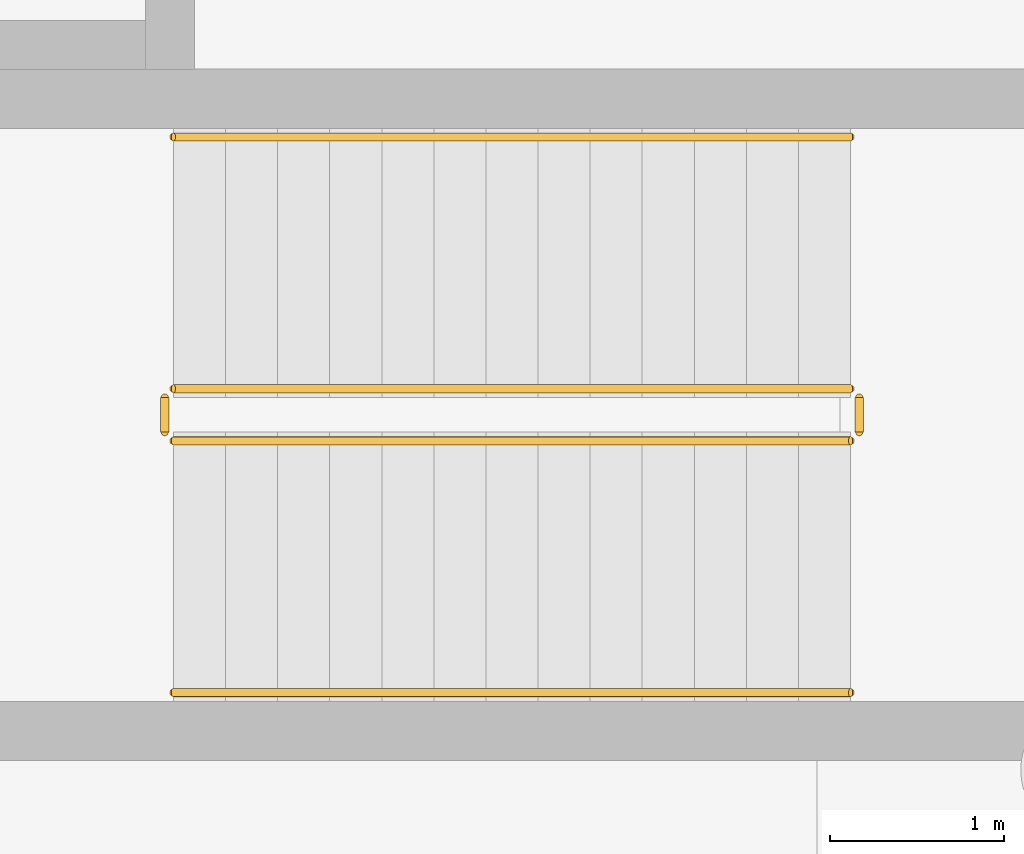
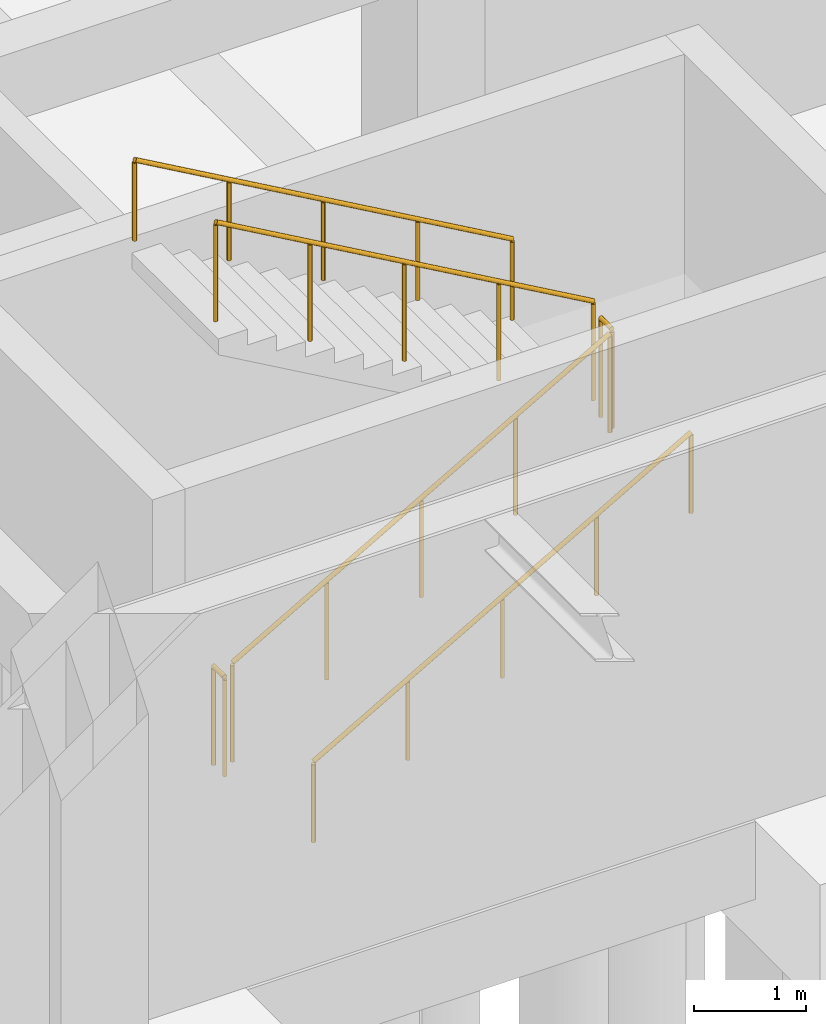
# One storey, part 39 of 44: 6 railings.
"""IFC4 building model written with IfcOpenShell, lengths in metres."""

from ifc_helpers import new_model, si_unit, direction, frame, origin, origin_2d, place, context, subcontext, project, spatial, circle, extrude, material, type_object, element, save


model = new_model("IFC4")

# Units and contexts
model_context = context("Model", 3, precision=1e-05, world=origin(), true_north=direction((0.0, 1.0)))
body_context = subcontext(model_context, "Body", "Model", "MODEL_VIEW")
ifc_project = project(units=[si_unit("LENGTHUNIT", "METRE"), si_unit("AREAUNIT", "SQUARE_METRE"), si_unit("VOLUMEUNIT", "CUBIC_METRE"), si_unit("PLANEANGLEUNIT", "RADIAN"), si_unit("MASSUNIT", "GRAM", prefix="KILO")], contexts=[model_context])

# Site, building, storey
site_placement = place(None, origin())
site = spatial("IfcSite", under=ifc_project, at=site_placement, CompositionType="ELEMENT")
building_placement = place(site_placement, origin())
building = spatial("IfcBuilding", under=site, at=building_placement, Name="Korsvaeld Concert Hall", CompositionType="ELEMENT")
storey_placement = place(building_placement, frame((0.0, 0.0, -4.800048828125)))
storey = spatial("IfcBuildingStorey", under=building, at=storey_placement, Name="B1", CompositionType="ELEMENT", Elevation=-4.800048828125)

# Railings
ifc_material_1 = material(Name="Powder-coated steel and bronze stair guardrail", Category="steel")
railing_type_1 = type_object("IfcRailingType", Name="RL-STAIR-GUARD-120", PredefinedType="GUARDRAIL", material=ifc_material_1)
railing_1_placement = place(storey_placement, frame((53.52001953125, 45.8701171875, 0.17138671875)))
element("IfcRailing", 1, at=railing_1_placement, inside=storey, type_object=railing_type_1, Name="B1 ST-K3 stair guard 1", PredefinedType="GUARDRAIL", context=body_context, shape_type="SweptSolid", body=[
    extrude(circle(Radius=0.02392578125, at=origin_2d()), frame((0.0, 0.0, 1.076171875), z_axis=(0.868219727965, 0.0, 0.496179910892), x_axis=(0.0, 1.0, 0.0)), (0.0, 0.0, 1.0), 4.491943359375),
    extrude(circle(Radius=0.02099609375, at=origin_2d()), origin(), (0.0, 0.0, 1.0), 1.052001953125),
    extrude(circle(Radius=0.02099609375, at=origin_2d()), frame((0.97509765625, 0.0, 0.55712890625)), (0.0, 0.0, 1.0), 1.052001953125),
    extrude(circle(Radius=0.02099609375, at=origin_2d()), frame((1.949951171875, 0.0, 1.1142578125)), (0.0, 0.0, 1.0), 1.052001953125),
    extrude(circle(Radius=0.02099609375, at=origin_2d()), frame((2.9248046875, 0.0, 1.671630859375)), (0.0, 0.0, 1.0), 1.052001953125),
    extrude(circle(Radius=0.02099609375, at=origin_2d()), frame((3.89990234375, 0.0, 2.228759765625)), (0.0, 0.0, 1.0), 1.052001953125),
])
railing_2_placement = place(storey_placement, frame((57.469970703125, 45.919921875, 2.400146484375)))
element("IfcRailing", 2, at=railing_2_placement, inside=storey, type_object=railing_type_1, Name="B1 ST-K3 stair guard 2", PredefinedType="GUARDRAIL", context=body_context, shape_type="SweptSolid", body=[
    extrude(circle(Radius=0.02392578125, at=origin_2d()), frame((0.0, 0.0, 1.076171875), z_axis=(0.0, 1.0, 0.0), x_axis=(-1.0, 0.0, 0.0)), (0.0, 0.0, 1.0), 0.2001953125),
    extrude(circle(Radius=0.02099609375, at=origin_2d()), origin(), (0.0, 0.0, 1.0), 1.052001953125),
    extrude(circle(Radius=0.02099609375, at=origin_2d()), frame((0.0, 0.2001953125, 0.0)), (0.0, 0.0, 1.0), 1.052001953125),
])
railing_3_placement = place(storey_placement, frame((57.419921875, 46.169921875, 2.571533203125)))
element("IfcRailing", 3, at=railing_3_placement, inside=storey, type_object=railing_type_1, Name="B1 ST-K3 stair guard 3", PredefinedType="GUARDRAIL", context=body_context, shape_type="SweptSolid", body=[
    extrude(circle(Radius=0.02392578125, at=origin_2d()), frame((0.0, 0.0, 1.076171875), z_axis=(-0.868243142124, 0.0, 0.496138938357), x_axis=(0.0, -1.0, 0.0)), (0.0, 0.0, 1.0), 4.49169921875),
    extrude(circle(Radius=0.02099609375, at=origin_2d()), origin(), (0.0, 0.0, 1.0), 1.052001953125),
    extrude(circle(Radius=0.02099609375, at=origin_2d()), frame((-0.97509765625, 0.0, 0.55712890625)), (0.0, 0.0, 1.0), 1.052001953125),
    extrude(circle(Radius=0.02099609375, at=origin_2d()), frame((-1.949951171875, 0.0, 1.1142578125)), (0.0, 0.0, 1.0), 1.052001953125),
    extrude(circle(Radius=0.02099609375, at=origin_2d()), frame((-2.9248046875, 0.0, 1.67138671875)), (0.0, 0.0, 1.0), 1.052001953125),
    extrude(circle(Radius=0.02099609375, at=origin_2d()), frame((-3.89990234375, 0.0, 2.228515625)), (0.0, 0.0, 1.0), 1.052001953125),
])
railing_4_placement = place(storey_placement, frame((53.469970703125, 45.919921875, 0.0)))
element("IfcRailing", 4, at=railing_4_placement, inside=storey, type_object=railing_type_1, Name="B1 ST-K3 stair guard 4", PredefinedType="GUARDRAIL", context=body_context, shape_type="SweptSolid", body=[
    extrude(circle(Radius=0.02392578125, at=origin_2d()), frame((0.0, 0.0, 1.076171875), z_axis=(0.0, 1.0, 0.0), x_axis=(-1.0, 0.0, 0.0)), (0.0, 0.0, 1.0), 0.2001953125),
    extrude(circle(Radius=0.02099609375, at=origin_2d()), origin(), (0.0, 0.0, 1.0), 1.052001953125),
    extrude(circle(Radius=0.02099609375, at=origin_2d()), frame((0.0, 0.2001953125, 0.0)), (0.0, 0.0, 1.0), 1.052001953125),
])
ifc_material_2 = material(Name="European oak and bronze stair handrail")
railing_type_2 = type_object("IfcRailingType", Name="RL-STAIR-HAND-90", PredefinedType="HANDRAIL", material=ifc_material_2)
railing_5_placement = place(storey_placement, frame((53.52001953125, 44.419921875, 0.17138671875)))
element("IfcRailing", 5, at=railing_5_placement, inside=storey, type_object=railing_type_2, Name="B1 ST-K3 stair handrail 1", PredefinedType="HANDRAIL", context=body_context, shape_type="SweptSolid", body=[
    extrude(circle(Radius=0.02392578125, at=origin_2d()), frame((0.0, 0.0, 0.8759765625), z_axis=(0.868219727965, 0.0, 0.496179910892), x_axis=(0.0, 1.0, 0.0)), (0.0, 0.0, 1.0), 4.491943359375),
    extrude(circle(Radius=0.02099609375, at=origin_2d()), origin(), (0.0, 0.0, 1.0), 0.851806640625),
    extrude(circle(Radius=0.02099609375, at=origin_2d()), frame((0.97509765625, 0.0, 0.55712890625)), (0.0, 0.0, 1.0), 0.851806640625),
    extrude(circle(Radius=0.02099609375, at=origin_2d()), frame((1.949951171875, 0.0, 1.1142578125)), (0.0, 0.0, 1.0), 0.851806640625),
    extrude(circle(Radius=0.02099609375, at=origin_2d()), frame((2.9248046875, 0.0, 1.671630859375)), (0.0, 0.0, 1.0), 0.851806640625),
    extrude(circle(Radius=0.02099609375, at=origin_2d()), frame((3.89990234375, 0.0, 2.228759765625)), (0.0, 0.0, 1.0), 0.851806640625),
])
railing_6_placement = place(storey_placement, frame((57.419921875, 47.6201171875, 2.571533203125)))
element("IfcRailing", 6, at=railing_6_placement, inside=storey, type_object=railing_type_2, Name="B1 ST-K3 stair handrail 2", PredefinedType="HANDRAIL", context=body_context, shape_type="SweptSolid", body=[
    extrude(circle(Radius=0.02392578125, at=origin_2d()), frame((0.0, 0.0, 0.8759765625), z_axis=(-0.868243142124, 0.0, 0.496138938357), x_axis=(0.0, -1.0, 0.0)), (0.0, 0.0, 1.0), 4.49169921875),
    extrude(circle(Radius=0.02099609375, at=origin_2d()), origin(), (0.0, 0.0, 1.0), 0.851806640625),
    extrude(circle(Radius=0.02099609375, at=origin_2d()), frame((-0.97509765625, 0.0, 0.55712890625)), (0.0, 0.0, 1.0), 0.851806640625),
    extrude(circle(Radius=0.02099609375, at=origin_2d()), frame((-1.949951171875, 0.0, 1.1142578125)), (0.0, 0.0, 1.0), 0.851806640625),
    extrude(circle(Radius=0.02099609375, at=origin_2d()), frame((-2.9248046875, 0.0, 1.67138671875)), (0.0, 0.0, 1.0), 0.851806640625),
    extrude(circle(Radius=0.02099609375, at=origin_2d()), frame((-3.89990234375, 0.0, 2.228515625)), (0.0, 0.0, 1.0), 0.851806640625),
])

save(model, "model.ifc")
